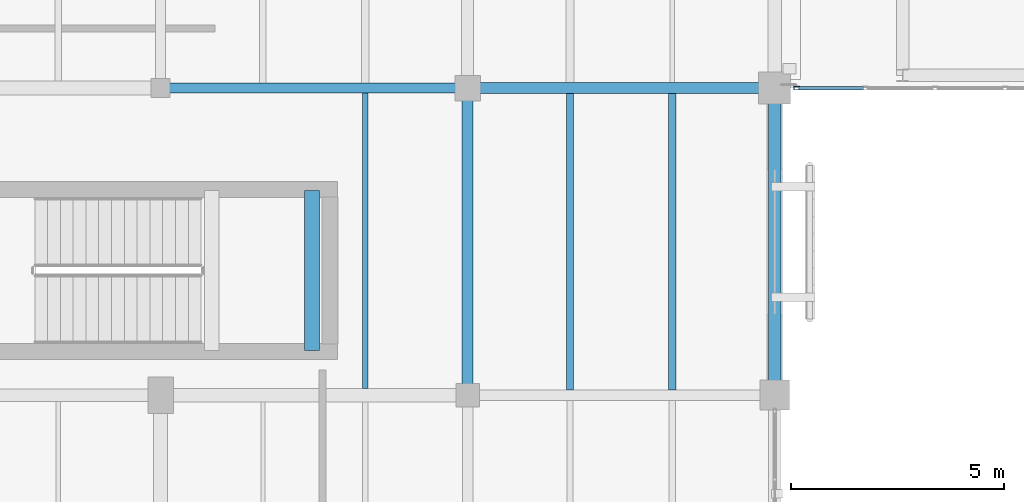
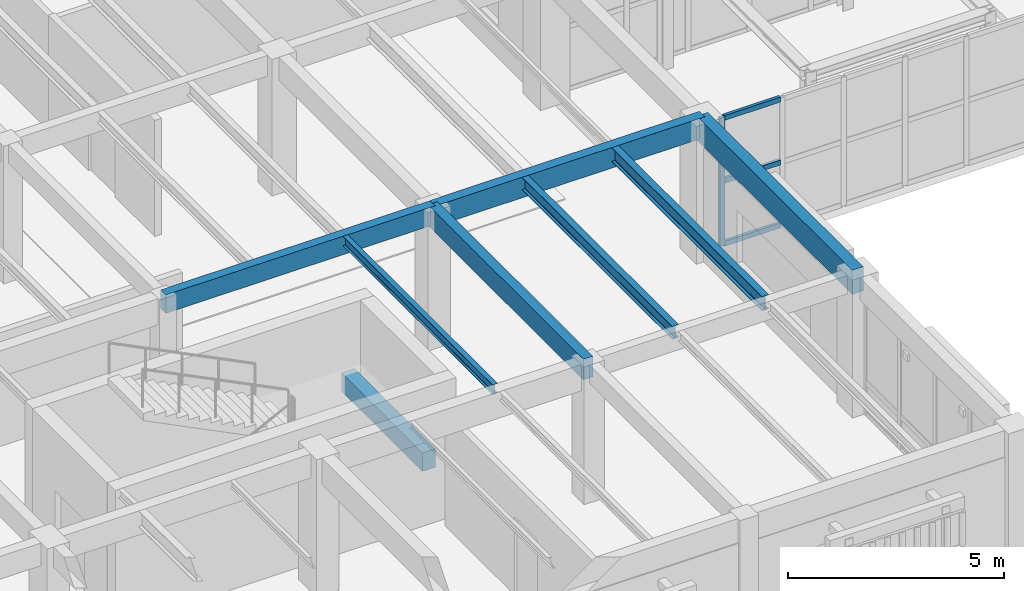
# One storey, part 22 of 170: 8 beams, 4 members, 1 element without a shape of its own.
"""IFC4 building model written with IfcOpenShell, lengths in metres."""

from ifc_helpers import new_model, si_unit, direction, frame, origin, origin_2d, place, context, subcontext, project, spatial, rectangle, hollow_rectangle, i_section, extrude, material, layer, layer_set, material_profile, profile_set, type_object, element, aggregate, save


model = new_model("IFC4")

# Units and contexts
model_context = context("Model", 3, precision=1e-05, world=origin(), true_north=direction((0.0, 1.0)))
body_context = subcontext(model_context, "Body", "Model", "MODEL_VIEW")
ifc_project = project(units=[si_unit("LENGTHUNIT", "METRE"), si_unit("AREAUNIT", "SQUARE_METRE"), si_unit("VOLUMEUNIT", "CUBIC_METRE"), si_unit("PLANEANGLEUNIT", "RADIAN"), si_unit("MASSUNIT", "GRAM", prefix="KILO")], contexts=[model_context])

# Site, building, storey
site_placement = place(None, origin())
site = spatial("IfcSite", under=ifc_project, at=site_placement, CompositionType="ELEMENT")
building_placement = place(site_placement, origin())
building = spatial("IfcBuilding", under=site, at=building_placement, Name="Mazaris Harbour Polytechnic", CompositionType="ELEMENT")
storey_placement = place(building_placement, frame((0.0, 0.0, 5.39990234375)))
storey = spatial("IfcBuildingStorey", under=building, at=storey_placement, Name="L01", CompositionType="ELEMENT", Elevation=5.39990234375)

# Curtain wall, members
ifc_material_1 = material(Name="Anodised Bronze Aluminium and Low-E Glass", Category="aluminium")
ifc_layer = layer(ifc_material_1, 0.139892578125, Name="Anodised Bronze Aluminium and Low-E Glass")
ifc_layer_set = layer_set([ifc_layer], Name="Anodised Bronze Aluminium and Low-E Glass")
curtain_wall_type = type_object("IfcCurtainWallType", Name="Seismic Link Bridge Glazing", PredefinedType="NOTDEFINED", material=ifc_layer_set)
curtain_wall_placement = place(storey_placement, origin())
curtain_wall = element("IfcCurtainWall", 1, at=curtain_wall_placement, inside=storey, type_object=curtain_wall_type, Name="PB-W1 L01 Bridge Glazing", PredefinedType="NOTDEFINED")
ifc_material_2 = material(Name="Anodised Bronze Steel S355", Category="steel")
ifc_material_profile_1 = material_profile(ifc_material_2, hollow_rectangle(XDim=0.080078125, YDim=0.139892578125, WallThickness=0.00634765625, at=origin_2d()), Name="RHS 80x140x6.3")
ifc_profile_set_1 = profile_set([ifc_material_profile_1], Name="Anodised Bronze Steel S355")
member_type_1 = type_object("IfcMemberType", Name="Curtain Mullion RHS80x140", PredefinedType="MULLION", material=ifc_profile_set_1)
member_1_placement = place(storey_placement, frame((43.719970703125, 21.60009765625, 0.0), z_axis=(0.0, 0.0, 1.0), x_axis=(0.0, 1.0, 0.0)))
member_1 = element("IfcMember", 2, at=member_1_placement, type_object=member_type_1, Name="CW-05 mullion 1", PredefinedType="MULLION", context=body_context, shape_type="SweptSolid", body=[
    extrude(hollow_rectangle(XDim=0.080078125, YDim=0.139892578125, WallThickness=0.00634765625, at=origin_2d()), origin(), (0.0, 0.0, 1.0), 3.635009765625),
])
ifc_material_3 = material(Name="Anodised Bronze Steel S355", Category="steel")
ifc_material_profile_2 = material_profile(ifc_material_3, hollow_rectangle(XDim=0.080078125, YDim=0.139892578125, WallThickness=0.00634765625, at=origin_2d()), Name="RHS 80x140x6.3")
ifc_profile_set_2 = profile_set([ifc_material_profile_2], Name="Anodised Bronze Steel S355")
member_type_2 = type_object("IfcMemberType", Name="Curtain Transom RHS80x140", PredefinedType="USERDEFINED", material=ifc_profile_set_2)
member_2_placement = place(storey_placement, frame((43.760009765625, 21.60009765625, 0.0400390625), z_axis=(1.0, 0.0, 0.0), x_axis=(0.0, 1.0, 0.0)))
member_2 = element("IfcMember", 3, at=member_2_placement, type_object=member_type_2, Name="CW-05 transom 1.1", ObjectType="TRANSOM", PredefinedType="USERDEFINED", context=body_context, shape_type="SweptSolid", body=[
    extrude(hollow_rectangle(XDim=0.080078125, YDim=0.139892578125, WallThickness=0.00634765625, at=origin_2d()), origin(), (0.0, 0.0, 1.0), 1.52001953125),
])
member_3_placement = place(storey_placement, frame((43.760009765625, 21.60009765625, 1.817626953125), z_axis=(1.0, 0.0, 0.0), x_axis=(0.0, 1.0, 0.0)))
member_3 = element("IfcMember", 4, at=member_3_placement, type_object=member_type_2, Name="CW-05 transom 1.2", ObjectType="TRANSOM", PredefinedType="USERDEFINED", context=body_context, shape_type="SweptSolid", body=[
    extrude(hollow_rectangle(XDim=0.080078125, YDim=0.139892578125, WallThickness=0.00634765625, at=origin_2d()), origin(), (0.0, 0.0, 1.0), 1.52001953125),
])
member_4_placement = place(storey_placement, frame((43.760009765625, 21.60009765625, 3.59521484375), z_axis=(1.0, 0.0, 0.0), x_axis=(0.0, 1.0, 0.0)))
member_4 = element("IfcMember", 5, at=member_4_placement, type_object=member_type_2, Name="CW-05 transom 1.3", ObjectType="TRANSOM", PredefinedType="USERDEFINED", context=body_context, shape_type="SweptSolid", body=[
    extrude(hollow_rectangle(XDim=0.080078125, YDim=0.139892578125, WallThickness=0.00634765625, at=origin_2d()), origin(), (0.0, 0.0, 1.0), 1.52001953125),
])
aggregate(curtain_wall, [member_1, member_2, member_3, member_4])

# Beams
ifc_material_4 = material(Name="Glulam GL32h", Category="wood")
ifc_material_profile_3 = material_profile(ifc_material_4, rectangle(XDim=0.239990234375, YDim=0.52001953125, at=origin_2d()), Name="RECT240x520")
ifc_profile_set_3 = profile_set([ifc_material_profile_3], Name="Glulam GL32h")
beam_type_1 = type_object("IfcBeamType", Name="Glulam Girder 240x520", PredefinedType="BEAM", material=ifc_profile_set_3)
beam_1_placement = place(storey_placement, frame((28.800048828125, 21.60009765625, 3.630126953125), z_axis=(1.0, 0.0, 0.0), x_axis=(0.0, 1.0, 0.0)))
element("IfcBeam", 6, at=beam_1_placement, inside=storey, type_object=beam_type_1, Name="V4 L01 Girder 1640", PredefinedType="BEAM", context=body_context, shape_type="SweptSolid", body=[
    extrude(rectangle(XDim=0.239990234375, YDim=0.52001953125, at=origin_2d()), origin(), (0.0, 0.0, 1.0), 7.199951171875),
])
ifc_material_5 = material(Name="Glulam GL32h", Category="wood")
ifc_material_profile_4 = material_profile(ifc_material_5, rectangle(XDim=0.260009765625, YDim=0.580078125, at=origin_2d()), Name="RECT260x580")
ifc_profile_set_4 = profile_set([ifc_material_profile_4], Name="Glulam GL32h")
beam_type_2 = type_object("IfcBeamType", Name="Glulam Girder 260x580", PredefinedType="BEAM", material=ifc_profile_set_4)
beam_2_placement = place(storey_placement, frame((36.0, 21.60009765625, 3.60009765625), z_axis=(1.0, 0.0, 0.0), x_axis=(0.0, 1.0, 0.0)))
element("IfcBeam", 7, at=beam_2_placement, inside=storey, type_object=beam_type_2, Name="V4 L01 Girder 1641", PredefinedType="BEAM", context=body_context, shape_type="SweptSolid", body=[
    extrude(rectangle(XDim=0.260009765625, YDim=0.580078125, at=origin_2d()), origin(), (0.0, 0.0, 1.0), 7.199951171875),
])
beam_3_placement = place(storey_placement, frame((36.0, 14.39990234375, 3.60009765625), z_axis=(0.0, 1.0, 0.0), x_axis=(-1.0, 0.0, 0.0)))
element("IfcBeam", 8, at=beam_3_placement, inside=storey, type_object=beam_type_2, Name="V4 L01 Tie Girder 1751", PredefinedType="BEAM", context=body_context, shape_type="SweptSolid", body=[
    extrude(rectangle(XDim=0.260009765625, YDim=0.580078125, at=origin_2d()), origin(), (0.0, 0.0, 1.0), 7.2001953125),
])
ifc_material_6 = material(Name="Glulam GL32h", Category="wood")
ifc_material_profile_5 = material_profile(ifc_material_6, rectangle(XDim=0.300048828125, YDim=0.679931640625, at=origin_2d()), Name="RECT300x680")
ifc_profile_set_5 = profile_set([ifc_material_profile_5], Name="Glulam GL32h")
beam_type_3 = type_object("IfcBeamType", Name="Glulam Girder 300x680 Exterior", PredefinedType="BEAM", material=ifc_profile_set_5)
beam_4_placement = place(storey_placement, frame((43.199951171875, 14.39990234375, 3.550048828125), z_axis=(0.0, 1.0, 0.0), x_axis=(-1.0, 0.0, 0.0)))
element("IfcBeam", 9, at=beam_4_placement, inside=storey, type_object=beam_type_3, Name="V4 L01 Tie Girder 1763", PredefinedType="BEAM", context=body_context, shape_type="SweptSolid", body=[
    extrude(rectangle(XDim=0.300048828125, YDim=0.679931640625, at=origin_2d()), origin(), (0.0, 0.0, 1.0), 7.2001953125),
])
ifc_material_7 = material(Name="Concrete C40/50", Category="concrete")
ifc_material_profile_6 = material_profile(ifc_material_7, rectangle(XDim=0.35009765625, YDim=0.52001953125, at=origin_2d()), Name="RECT350x520")
ifc_profile_set_6 = profile_set([ifc_material_profile_6], Name="Concrete C40/50")
beam_type_4 = type_object("IfcBeamType", Name="RC Landing Bearer 350x520", PredefinedType="BEAM", material=ifc_profile_set_6)
beam_5_placement = place(storey_placement, frame((32.35009765625, 15.449951171875, 1.64013671875), z_axis=(0.0, 1.0, 0.0), x_axis=(-1.0, 0.0, 0.0)))
element("IfcBeam", 10, at=beam_5_placement, inside=storey, type_object=beam_type_4, Name="Core ST08 L01 Landing Bearer", PredefinedType="BEAM", context=body_context, shape_type="SweptSolid", body=[
    extrude(rectangle(XDim=0.35009765625, YDim=0.52001953125, at=origin_2d()), origin(), (0.0, 0.0, 1.0), 3.75),
])
ifc_material_8 = material(Name="Steel S355", Category="steel")
ifc_material_profile_7 = material_profile(ifc_material_8, i_section(OverallWidth=0.135009765625, OverallDepth=0.27001953125, WebThickness=0.006591796875, FlangeThickness=0.01025390625, FilletRadius=0.014892578125, at=origin_2d()), Name="IPE 270")
ifc_profile_set_7 = profile_set([ifc_material_profile_7], Name="Steel S355")
beam_type_5 = type_object("IfcBeamType", Name="Steel Joist IPE270", PredefinedType="JOIST", material=ifc_profile_set_7)
beam_6_placement = place(storey_placement, frame((33.60009765625, 14.56005859375, 3.755126953125), z_axis=(0.0, 1.0, 0.0), x_axis=(-1.0, 0.0, 0.0)))
element("IfcBeam", 11, at=beam_6_placement, inside=storey, type_object=beam_type_5, Name="V4 L01 Floor Joist 1850", PredefinedType="JOIST", context=body_context, shape_type="SweptSolid", body=[
    extrude(i_section(OverallWidth=0.135009765625, OverallDepth=0.27001953125, WebThickness=0.006591796875, FlangeThickness=0.01025390625, FilletRadius=0.014892578125, at=origin_2d()), origin(), (0.0, 0.0, 1.0), 6.919921875),
])
ifc_material_9 = material(Name="Steel S355", Category="steel")
ifc_material_profile_8 = material_profile(ifc_material_9, i_section(OverallWidth=0.169921875, OverallDepth=0.360107421875, WebThickness=0.008056640625, FlangeThickness=0.0126953125, FilletRadius=0.01806640625, at=origin_2d()), Name="IPE 360")
ifc_profile_set_8 = profile_set([ifc_material_profile_8], Name="Steel S355")
beam_type_6 = type_object("IfcBeamType", Name="Steel Joist IPE360", PredefinedType="JOIST", material=ifc_profile_set_8)
beam_7_placement = place(storey_placement, frame((38.39990234375, 14.52001953125, 3.710205078125), z_axis=(0.0, 1.0, 0.0), x_axis=(-1.0, 0.0, 0.0)))
element("IfcBeam", 12, at=beam_7_placement, inside=storey, type_object=beam_type_6, Name="V4 L01 Floor Joist 1873", PredefinedType="JOIST", context=body_context, shape_type="SweptSolid", body=[
    extrude(i_section(OverallWidth=0.169921875, OverallDepth=0.360107421875, WebThickness=0.008056640625, FlangeThickness=0.0126953125, FilletRadius=0.01806640625, at=origin_2d()), origin(), (0.0, 0.0, 1.0), 6.949951171875),
])
ifc_material_10 = material(Name="Steel S355", Category="steel")
ifc_material_profile_9 = material_profile(ifc_material_10, i_section(OverallWidth=0.179931640625, OverallDepth=0.39990234375, WebThickness=0.008544921875, FlangeThickness=0.013427734375, FilletRadius=0.02099609375, at=origin_2d()), Name="IPE 400")
ifc_profile_set_9 = profile_set([ifc_material_profile_9], Name="Steel S355")
beam_type_7 = type_object("IfcBeamType", Name="Steel Joist IPE400", PredefinedType="JOIST", material=ifc_profile_set_9)
beam_8_placement = place(storey_placement, frame((40.800048828125, 14.52001953125, 3.690185546875), z_axis=(0.0, 1.0, 0.0), x_axis=(-1.0, 0.0, 0.0)))
element("IfcBeam", 13, at=beam_8_placement, inside=storey, type_object=beam_type_7, Name="V4 L01 Floor Joist 1874", PredefinedType="JOIST", context=body_context, shape_type="SweptSolid", body=[
    extrude(i_section(OverallWidth=0.179931640625, OverallDepth=0.39990234375, WebThickness=0.008544921875, FlangeThickness=0.013427734375, FilletRadius=0.02099609375, at=origin_2d()), origin(), (0.0, 0.0, 1.0), 6.949951171875),
])

save(model, "model.ifc")
